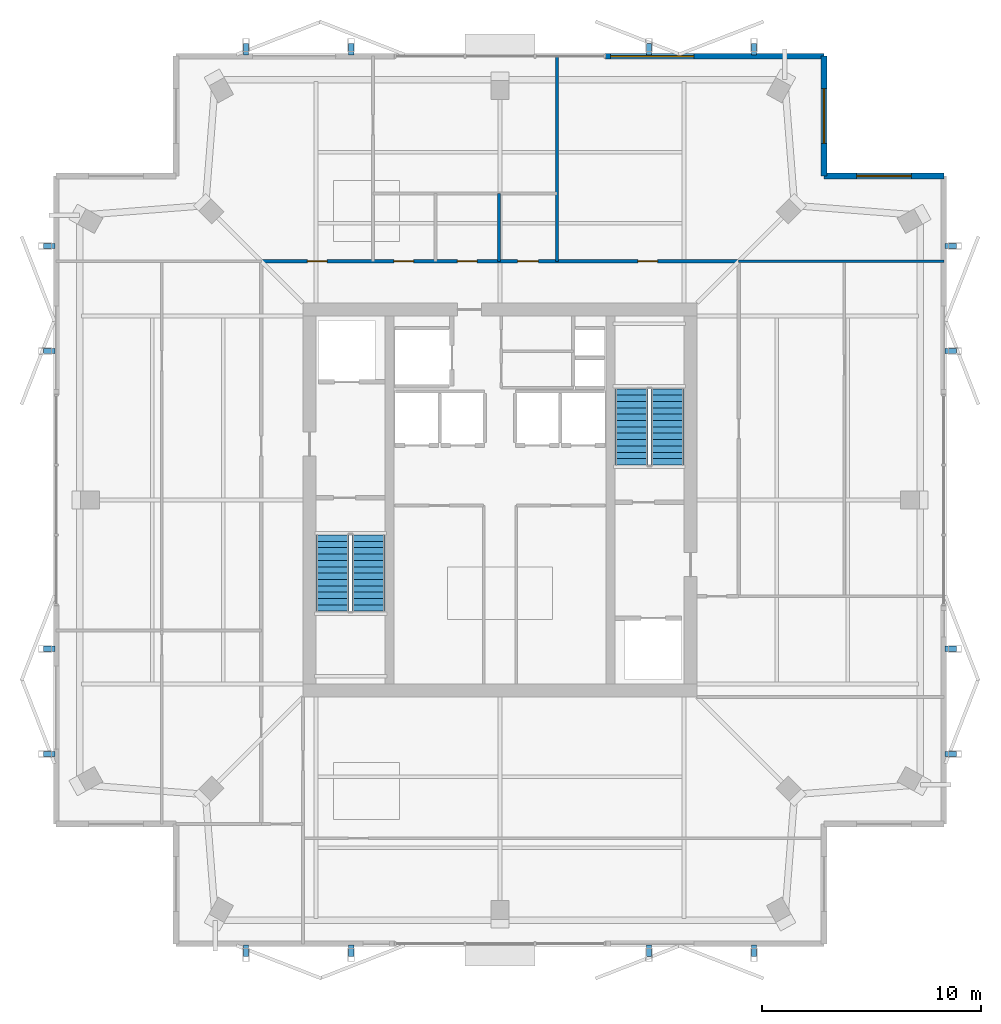
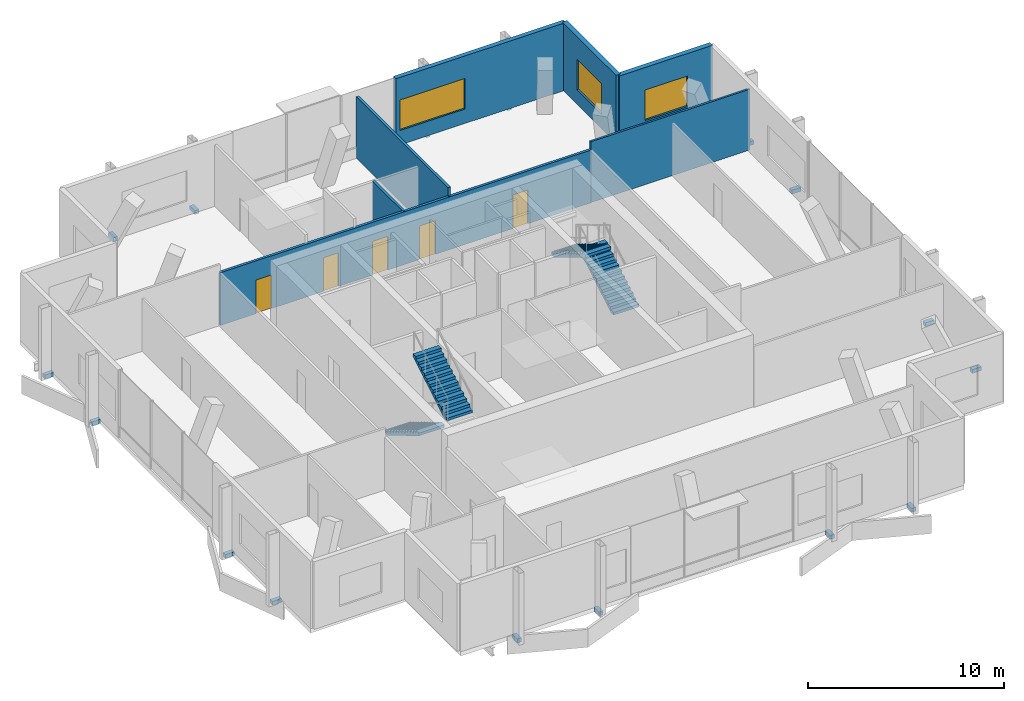
# One storey, part 14 of 16: 16 discrete accessories, 7 walls, 5 doors, 4 stair flights, 3 windows, 8 openings, 2 elements without a shape of their own.
"""IFC4 building model written with IfcOpenShell, lengths in metres."""

from ifc_helpers import new_model, si_unit, direction, frame, frame_2d, origin, origin_2d, place, context, subcontext, project, spatial, polyline, rectangle, outline, extrude, material, layer, layer_set, type_object, element, fill, aggregate, save


model = new_model("IFC4")

# Units and contexts
model_context = context("Model", 3, precision=1e-05, world=origin(), true_north=direction((0.0, 1.0)))
body_context = subcontext(model_context, "Body", "Model", "MODEL_VIEW")
ifc_project = project(units=[si_unit("LENGTHUNIT", "METRE"), si_unit("AREAUNIT", "SQUARE_METRE"), si_unit("VOLUMEUNIT", "CUBIC_METRE"), si_unit("PLANEANGLEUNIT", "RADIAN"), si_unit("MASSUNIT", "GRAM", prefix="KILO")], contexts=[model_context])

# Site, building, storey
site_placement = place(None, origin())
site = spatial("IfcSite", under=ifc_project, at=site_placement, CompositionType="ELEMENT")
building_placement = place(site_placement, origin())
building = spatial("IfcBuilding", under=site, at=building_placement, Name="Belovzor Exchange Tower", CompositionType="ELEMENT")
storey_placement = place(building_placement, frame((0.0, 0.0, 364.5)))
storey = spatial("IfcBuildingStorey", under=building, at=storey_placement, Name="L91", CompositionType="ELEMENT", Elevation=364.5)

# Walls
ifc_material_1 = material(Name="Acoustic Plasterboard on Galvanised Studs", Category="gypsum")
ifc_layer_1 = layer(ifc_material_1, 0.1201171875)
ifc_layer_set_1 = layer_set([ifc_layer_1], Name="Acoustic Plasterboard on Galvanised Studs")
wall_type_1 = type_object("IfcWallType", Name="Acoustic Double-Stud Partition Wall 120", PredefinedType="PARTITIONING", material=ifc_layer_set_1)
wall_1_placement = place(storey_placement, frame((39.699951171875, 39.699951171875, 0.0), z_axis=(0.0, 0.0, 1.0), x_axis=(1.0, 0.0, 0.0)))
element("IfcWall", 1, at=wall_1_placement, inside=storey, type_object=wall_type_1, Name="W-P120 Partition Wall W-L91-END-NE", PredefinedType="PARTITIONING", context=body_context, shape_type="SweptSolid", body=[
    extrude(rectangle(XDim=9.3701171875, YDim=0.1201171875, at=frame_2d((4.68505859375, 0.0))), origin(), (0.0, 0.0, 1.0), 3.784912109375),
])
ifc_material_2 = material(Name="Fire-Rated Gypsum Block and Mineral Wool", Category="gypsum")
ifc_layer_2 = layer(ifc_material_2, 0.14990234375)
ifc_layer_set_2 = layer_set([ifc_layer_2], Name="Fire-Rated Gypsum Block and Mineral Wool")
wall_type_2 = type_object("IfcWallType", Name="Fire-Rated Gypsum Block Corridor Wall 150", PredefinedType="PARTITIONING", material=ifc_layer_set_2)
wall_2_placement = place(storey_placement, frame((31.39990234375, 39.699951171875, 0.0), z_axis=(0.0, 0.0, 1.0), x_axis=(0.0, 1.0, 0.0)))
element("IfcWall", 2, at=wall_2_placement, inside=storey, type_object=wall_type_2, Name="W-P150 Partition Wall W-L91-WCE", PredefinedType="PARTITIONING", context=body_context, shape_type="SweptSolid", body=[
    extrude(rectangle(XDim=9.3701171875, YDim=0.14990234375, at=frame_2d((4.68505859375, 0.0))), origin(), (0.0, 0.0, 1.0), 3.824951171875),
])
wall_3_placement = place(storey_placement, frame((28.75, 39.699951171875, 0.0), z_axis=(0.0, 0.0, 1.0), x_axis=(0.0, 1.0, 0.0)))
element("IfcWall", 3, at=wall_3_placement, inside=storey, type_object=wall_type_2, Name="W-P150 Partition Wall W-L91-WCD2", PredefinedType="PARTITIONING", context=body_context, shape_type="SweptSolid", body=[
    extrude(rectangle(XDim=3.10009765625, YDim=0.14990234375, at=frame_2d((1.550048828125, 0.0))), origin(), (0.0, 0.0, 1.0), 3.284912109375),
])

# Wall, openings, doors
wall_4_placement = place(storey_placement, frame((17.89990234375, 39.699951171875, 0.0), z_axis=(0.0, 0.0, 1.0), x_axis=(1.0, 0.0, 0.0)))
wall_4 = element("IfcWall", 4, at=wall_4_placement, inside=storey, type_object=wall_type_2, Name="W-P150 Partition Wall W-L91-CN", PredefinedType="PARTITIONING", context=body_context, shape_type="SweptSolid", body=[
    extrude(rectangle(XDim=21.800048828125, YDim=0.14990234375, at=frame_2d((10.89990234375, 0.0))), origin(), (0.0, 0.0, 1.0), 3.284912109375),
])
opening_1_placement = place(wall_4_placement, frame((2.10009765625, 0.0, 0.0)))
opening_1 = element("IfcOpeningElement", 5, at=opening_1_placement, cuts=wall_4, Name="Opening D-INT-090", PredefinedType="OPENING", context=body_context, shape_type="SweptSolid", body=[
    extrude(rectangle(XDim=0.89990234375, YDim=2.10009765625, at=frame_2d((0.449951171875, 1.050048828125))), frame((0.0, 0.0849609375, 0.0), z_axis=(0.0, -1.0, 0.0), x_axis=(1.0, 0.0, 0.0)), (0.0, 0.0, 1.0), 0.169921875),
])
opening_2_placement = place(wall_4_placement, frame((6.050048828125, 0.0, 0.0)))
opening_2 = element("IfcOpeningElement", 6, at=opening_2_placement, cuts=wall_4, Name="Opening D-FD60-090", PredefinedType="OPENING", context=body_context, shape_type="SweptSolid", body=[
    extrude(rectangle(XDim=0.89990234375, YDim=2.10009765625, at=frame_2d((0.449951171875, 1.050048828125))), frame((0.0, 0.0849609375, 0.0), z_axis=(0.0, -1.0, 0.0), x_axis=(1.0, 0.0, 0.0)), (0.0, 0.0, 1.0), 0.169921875),
])
opening_3_placement = place(wall_4_placement, frame((8.949951171875, 0.0, 0.0)))
opening_3 = element("IfcOpeningElement", 7, at=opening_3_placement, cuts=wall_4, Name="Opening D-FD60-090", PredefinedType="OPENING", context=body_context, shape_type="SweptSolid", body=[
    extrude(rectangle(XDim=0.89990234375, YDim=2.10009765625, at=frame_2d((0.449951171875, 1.050048828125))), frame((0.0, 0.0849609375, 0.0), z_axis=(0.0, -1.0, 0.0), x_axis=(1.0, 0.0, 0.0)), (0.0, 0.0, 1.0), 0.169921875),
])
opening_4_placement = place(wall_4_placement, frame((11.699951171875, 0.0, 0.0)))
opening_4 = element("IfcOpeningElement", 8, at=opening_4_placement, cuts=wall_4, Name="Opening D-FD60-095", PredefinedType="OPENING", context=body_context, shape_type="SweptSolid", body=[
    extrude(rectangle(XDim=0.949951171875, YDim=2.10009765625, at=frame_2d((0.47509765625, 1.050048828125))), frame((0.0, 0.0849609375, 0.0), z_axis=(0.0, -1.0, 0.0), x_axis=(1.0, 0.0, 0.0)), (0.0, 0.0, 1.0), 0.169921875),
])
opening_5_placement = place(wall_4_placement, frame((17.199951171875, 0.0, 0.0)))
opening_5 = element("IfcOpeningElement", 9, at=opening_5_placement, cuts=wall_4, Name="Opening D-INT-090", PredefinedType="OPENING", context=body_context, shape_type="SweptSolid", body=[
    extrude(rectangle(XDim=0.89990234375, YDim=2.10009765625, at=frame_2d((0.449951171875, 1.050048828125))), frame((0.0, 0.0849609375, 0.0), z_axis=(0.0, -1.0, 0.0), x_axis=(1.0, 0.0, 0.0)), (0.0, 0.0, 1.0), 0.169921875),
])
ifc_material_3 = material(Name="Moisture-Resistant Timber Fire Leaf", Category="wood")
door_type_1 = type_object("IfcDoorType", Name="Accessible Restroom Wide Fire Door 950x2100", OperationType="NOTDEFINED", PredefinedType="DOOR", material=ifc_material_3)
door_1_placement = place(opening_4_placement, origin())
door_1 = element("IfcDoor", 10, at=door_1_placement, inside=storey, type_object=door_type_1, Name="D-FD60-095 Accessible Restroom Wide Fire Door 950x2100", OperationType="SINGLE_SWING_LEFT", OverallHeight=2.10009765625, OverallWidth=0.949951171875, PredefinedType="DOOR", context=body_context, shape_type="SweptSolid", body=[
    extrude(rectangle(XDim=0.949951171875, YDim=2.10009765625, at=frame_2d((0.47509765625, 1.050048828125))), frame((0.0, 0.02490234375, 0.0), z_axis=(0.0, -1.0, 0.0), x_axis=(1.0, 0.0, 0.0)), (0.0, 0.0, 1.0), 0.050048828125),
])
fill(opening_4, door_1)
ifc_material_4 = material(Name="Acoustic Timber Fire Leaf", Category="wood")
door_type_2 = type_object("IfcDoorType", Name="Core Service & Restroom Fire Door 900x2100", OperationType="NOTDEFINED", PredefinedType="DOOR", material=ifc_material_4)
door_2_placement = place(opening_2_placement, origin())
door_2 = element("IfcDoor", 11, at=door_2_placement, inside=storey, type_object=door_type_2, Name="D-FD60-090 Core Service & Restroom Fire Door 900x2100", OperationType="SINGLE_SWING_LEFT", OverallHeight=2.10009765625, OverallWidth=0.89990234375, PredefinedType="DOOR", context=body_context, shape_type="SweptSolid", body=[
    extrude(rectangle(XDim=0.89990234375, YDim=2.10009765625, at=frame_2d((0.449951171875, 1.050048828125))), frame((0.0, 0.02490234375, 0.0), z_axis=(0.0, -1.0, 0.0), x_axis=(1.0, 0.0, 0.0)), (0.0, 0.0, 1.0), 0.050048828125),
])
fill(opening_2, door_2)
door_3_placement = place(opening_3_placement, origin())
door_3 = element("IfcDoor", 12, at=door_3_placement, inside=storey, type_object=door_type_2, Name="D-FD60-090 Core Service & Restroom Fire Door 900x2100", OperationType="SINGLE_SWING_RIGHT", OverallHeight=2.10009765625, OverallWidth=0.89990234375, PredefinedType="DOOR", context=body_context, shape_type="SweptSolid", body=[
    extrude(rectangle(XDim=0.89990234375, YDim=2.10009765625, at=frame_2d((0.449951171875, 1.050048828125))), frame((0.0, 0.02490234375, 0.0), z_axis=(0.0, -1.0, 0.0), x_axis=(1.0, 0.0, 0.0)), (0.0, 0.0, 1.0), 0.050048828125),
])
fill(opening_3, door_3)
ifc_material_5 = material(Name="Veneered Hardwood Acoustic Leaf", Category="wood")
door_type_3 = type_object("IfcDoorType", Name="Trading Suite Acoustic Single Door 900x2100", OperationType="NOTDEFINED", PredefinedType="DOOR", material=ifc_material_5)
door_4_placement = place(opening_1_placement, origin())
door_4 = element("IfcDoor", 13, at=door_4_placement, inside=storey, type_object=door_type_3, Name="D-INT-090 Trading Suite Acoustic Single Door 900x2100", OperationType="SINGLE_SWING_LEFT", OverallHeight=2.10009765625, OverallWidth=0.89990234375, PredefinedType="DOOR", context=body_context, shape_type="SweptSolid", body=[
    extrude(rectangle(XDim=0.89990234375, YDim=2.10009765625, at=frame_2d((0.449951171875, 1.050048828125))), frame((0.0, 0.02490234375, 0.0), z_axis=(0.0, -1.0, 0.0), x_axis=(1.0, 0.0, 0.0)), (0.0, 0.0, 1.0), 0.050048828125),
])
fill(opening_1, door_4)
door_5_placement = place(opening_5_placement, origin())
door_5 = element("IfcDoor", 14, at=door_5_placement, inside=storey, type_object=door_type_3, Name="D-INT-090 Trading Suite Acoustic Single Door 900x2100", OperationType="SINGLE_SWING_RIGHT", OverallHeight=2.10009765625, OverallWidth=0.89990234375, PredefinedType="DOOR", context=body_context, shape_type="SweptSolid", body=[
    extrude(rectangle(XDim=0.89990234375, YDim=2.10009765625, at=frame_2d((0.449951171875, 1.050048828125))), frame((0.0, 0.02490234375, 0.0), z_axis=(0.0, -1.0, 0.0), x_axis=(1.0, 0.0, 0.0)), (0.0, 0.0, 1.0), 0.050048828125),
])
fill(opening_5, door_5)

# Wall, opening, window
ifc_material_6 = material(Name="Precast concrete C40/50", Category="concrete")
ifc_layer_3 = layer(ifc_material_6, 0.280029296875)
ifc_layer_set_3 = layer_set([ifc_layer_3], Name="Precast concrete C40/50")
wall_type_3 = type_object("IfcWallType", Name="Precast Concrete Notched Corner Frame Wall 280", PredefinedType="SOLIDWALL", material=ifc_layer_set_3)
wall_5_placement = place(storey_placement, frame((43.60009765625, 49.070068359375, 0.0), z_axis=(0.0, 0.0, 1.0), x_axis=(0.0, -1.0, 0.0)))
wall_5 = element("IfcWall", 15, at=wall_5_placement, inside=storey, type_object=wall_type_3, Name="W-CRN280 Precast Concrete Notched Corner Frame Wall 280 L91", PredefinedType="SOLIDWALL", context=body_context, shape_type="SweptSolid", body=[
    extrude(rectangle(XDim=5.469970703125, YDim=0.280029296875, at=frame_2d((2.73486328125, 0.0))), origin(), (0.0, 0.0, 1.0), 4.199951171875),
])
opening_6_placement = place(wall_5_placement, frame((1.485107421875, 0.0, 0.89990234375)))
opening_6 = element("IfcOpeningElement", 16, at=opening_6_placement, cuts=wall_5, Name="Opening WN-CRN250", PredefinedType="OPENING", context=body_context, shape_type="SweptSolid", body=[
    extrude(rectangle(XDim=2.5, YDim=1.89990234375, at=frame_2d((1.25, 0.949951171875))), frame((0.0, 0.14990234375, 0.0), z_axis=(0.0, -1.0, 0.0), x_axis=(1.0, 0.0, 0.0)), (0.0, 0.0, 1.0), 0.300048828125),
])
ifc_material_7 = material(Name="Thermally Broken Aluminium and Triple Glazing", Category="aluminium")
window_type_1 = type_object("IfcWindowType", Name="Streamline Moderne Corner Wrap Ribbon Window 2500x1900", PartitioningType="SINGLE_PANEL", PredefinedType="WINDOW", material=ifc_material_7)
window_1_placement = place(opening_6_placement, origin())
window_1 = element("IfcWindow", 17, at=window_1_placement, inside=storey, type_object=window_type_1, Name="WN-CRN250 Streamline Moderne Corner Wrap Ribbon Window 2500x1900", OverallHeight=1.89990234375, OverallWidth=2.5, PartitioningType="SINGLE_PANEL", PredefinedType="WINDOW", context=body_context, shape_type="SweptSolid", body=[
    extrude(rectangle(XDim=2.5, YDim=1.89990234375, at=frame_2d((1.25, 0.949951171875))), frame((0.0, 0.030029296875, 0.0), z_axis=(0.0, -1.0, 0.0), x_axis=(1.0, 0.0, 0.0)), (0.0, 0.0, 1.0), 0.06005859375),
])
fill(opening_6, window_1)

wall_6_placement = place(storey_placement, frame((43.60009765625, 43.60009765625, 0.0), z_axis=(0.0, 0.0, 1.0), x_axis=(1.0, 0.0, 0.0)))
wall_6 = element("IfcWall", 18, at=wall_6_placement, inside=storey, type_object=wall_type_3, Name="W-CRN280 Precast Concrete Notched Corner Frame Wall 280 L91", PredefinedType="SOLIDWALL", context=body_context, shape_type="SweptSolid", body=[
    extrude(rectangle(XDim=5.469970703125, YDim=0.280029296875, at=frame_2d((2.73486328125, 0.0))), origin(), (0.0, 0.0, 1.0), 4.199951171875),
])
opening_7_placement = place(wall_6_placement, frame((1.485107421875, 0.0, 0.89990234375)))
opening_7 = element("IfcOpeningElement", 19, at=opening_7_placement, cuts=wall_6, Name="Opening WN-CRN250", PredefinedType="OPENING", context=body_context, shape_type="SweptSolid", body=[
    extrude(rectangle(XDim=2.5, YDim=1.89990234375, at=frame_2d((1.25, 0.949951171875))), frame((0.0, 0.14990234375, 0.0), z_axis=(0.0, -1.0, 0.0), x_axis=(1.0, 0.0, 0.0)), (0.0, 0.0, 1.0), 0.300048828125),
])
window_2_placement = place(opening_7_placement, origin())
window_2 = element("IfcWindow", 20, at=window_2_placement, inside=storey, type_object=window_type_1, Name="WN-CRN250 Streamline Moderne Corner Wrap Ribbon Window 2500x1900", OverallHeight=1.89990234375, OverallWidth=2.5, PartitioningType="SINGLE_PANEL", PredefinedType="WINDOW", context=body_context, shape_type="SweptSolid", body=[
    extrude(rectangle(XDim=2.5, YDim=1.89990234375, at=frame_2d((1.25, 0.949951171875))), frame((0.0, 0.030029296875, 0.0), z_axis=(0.0, -1.0, 0.0), x_axis=(1.0, 0.0, 0.0)), (0.0, 0.0, 1.0), 0.06005859375),
])
fill(opening_7, window_2)

ifc_material_8 = material(Name="Precast concrete C40/50", Category="concrete")
ifc_layer_4 = layer(ifc_material_8, 0.260009765625)
ifc_layer_set_4 = layer_set([ifc_layer_4], Name="Precast concrete C40/50")
wall_type_4 = type_object("IfcWallType", Name="Precast Concrete Perimeter Loggia Frame Wall 260", PredefinedType="SOLIDWALL", material=ifc_layer_set_4)
wall_7_placement = place(storey_placement, frame((33.60009765625, 49.070068359375, 0.0), z_axis=(0.0, 0.0, 1.0), x_axis=(1.0, 0.0, 0.0)))
wall_7 = element("IfcWall", 21, at=wall_7_placement, inside=storey, type_object=wall_type_4, Name="W-EXT260 Precast Concrete Perimeter Loggia Frame Wall 260 L91", PredefinedType="SOLIDWALL", context=body_context, shape_type="SweptSolid", body=[
    extrude(rectangle(XDim=10.0, YDim=0.260009765625, at=frame_2d((5.0, 0.0))), origin(), (0.0, 0.0, 1.0), 4.199951171875),
])
opening_8_placement = place(wall_7_placement, frame((0.25, 0.0, 0.89990234375)))
opening_8 = element("IfcOpeningElement", 22, at=opening_8_placement, cuts=wall_7, Name="Opening WN-RIB380", PredefinedType="OPENING", context=body_context, shape_type="SweptSolid", body=[
    extrude(rectangle(XDim=3.800048828125, YDim=1.89990234375, at=frame_2d((1.89990234375, 0.949951171875))), frame((0.0, 0.139892578125, 0.0), z_axis=(0.0, -1.0, 0.0), x_axis=(1.0, 0.0, 0.0)), (0.0, 0.0, 1.0), 0.280029296875),
])
ifc_material_9 = material(Name="Thermally Broken Aluminium and Triple Glazing", Category="aluminium")
window_type_2 = type_object("IfcWindowType", Name="Streamline Moderne Horizontal Ribbon Window 3800x1900", PartitioningType="SINGLE_PANEL", PredefinedType="WINDOW", material=ifc_material_9)
window_3_placement = place(opening_8_placement, origin())
window_3 = element("IfcWindow", 23, at=window_3_placement, inside=storey, type_object=window_type_2, Name="WN-RIB380 Streamline Moderne Horizontal Ribbon Window 3800x1900", OverallHeight=1.89990234375, OverallWidth=3.800048828125, PartitioningType="SINGLE_PANEL", PredefinedType="WINDOW", context=body_context, shape_type="SweptSolid", body=[
    extrude(rectangle(XDim=3.800048828125, YDim=1.89990234375, at=frame_2d((1.89990234375, 0.949951171875))), frame((0.0, 0.030029296875, 0.0), z_axis=(0.0, -1.0, 0.0), x_axis=(1.0, 0.0, 0.0)), (0.0, 0.0, 1.0), 0.06005859375),
])
fill(opening_8, window_3)

# Stair, stair flights
ifc_material_10 = material(Name="Concrete C40/50", Category="concrete")
stair_type = type_object("IfcStairType", Name="Reinforced Concrete Dogleg Escape Stair 1350", PredefinedType="HALF_TURN_STAIR", material=ifc_material_10)
stair_1_placement = place(storey_placement, origin())
stair_1 = element("IfcStair", 24, at=stair_1_placement, inside=storey, type_object=stair_type, Name="L91 ST-1", PredefinedType="HALF_TURN_STAIR")
ifc_material_11 = material(Name="Concrete C40/50", Category="concrete")
stair_flight_type = type_object("IfcStairFlightType", Name="Reinforced Concrete Stair Flight 1350", PredefinedType="STRAIGHT", material=ifc_material_11)
stair_flight_1_placement = place(storey_placement, frame((21.14990234375, 27.199951171875, 0.0), z_axis=(0.0, 0.0, 1.0), x_axis=(0.0, -1.0, 0.0)))
stair_flight_1 = element("IfcStairFlight", 25, at=stair_flight_1_placement, type_object=stair_flight_type, Name="ST-1 flight 1", NumberOfRisers=13, NumberOfTreads=12, PredefinedType="STRAIGHT", RiserHeight=0.173076923, TreadLength=0.29, context=body_context, shape_type="SweptSolid", body=[
    extrude(outline(polyline([(0.0, 0.0), (0.0, 0.173095703125), (0.2900390625, 0.173095703125), (0.2900390625, 0.34619140625), (0.580078125, 0.34619140625), (0.580078125, 0.519287109375), (0.8701171875, 0.519287109375), (0.8701171875, 0.6923828125), (1.159912109375, 0.6923828125), (1.159912109375, 0.865478515625), (1.449951171875, 0.865478515625), (1.449951171875, 1.03857421875), (1.739990234375, 1.03857421875), (1.739990234375, 1.21142578125), (2.030029296875, 1.21142578125), (2.030029296875, 1.384521484375), (2.320068359375, 1.384521484375), (2.320068359375, 1.5576171875), (2.610107421875, 1.5576171875), (2.610107421875, 1.730712890625), (2.89990234375, 1.730712890625), (2.89990234375, 1.90380859375), (3.18994140625, 1.90380859375), (3.18994140625, 2.076904296875), (3.47998046875, 2.076904296875), (3.47998046875, 2.25), (3.47998046875, 1.90234375), (0.29248046875, 0.0), (0.0, 0.0)])), frame((0.0, 0.75, 0.0), z_axis=(0.0, -1.0, 0.0), x_axis=(1.0, 0.0, 0.0)), (0.0, 0.0, 1.0), 1.5),
])
stair_flight_2_placement = place(storey_placement, frame((22.800048828125, 23.719970703125, 2.25), z_axis=(0.0, 0.0, 1.0), x_axis=(0.0, 1.0, 0.0)))
stair_flight_2 = element("IfcStairFlight", 26, at=stair_flight_2_placement, type_object=stair_flight_type, Name="ST-1 flight 2", NumberOfRisers=13, NumberOfTreads=12, PredefinedType="STRAIGHT", RiserHeight=0.173076923, TreadLength=0.29, context=body_context, shape_type="SweptSolid", body=[
    extrude(outline(polyline([(0.0, 0.0), (0.0, 0.173095703125), (0.2900390625, 0.173095703125), (0.2900390625, 0.34619140625), (0.580078125, 0.34619140625), (0.580078125, 0.519287109375), (0.8701171875, 0.519287109375), (0.8701171875, 0.6923828125), (1.159912109375, 0.6923828125), (1.159912109375, 0.865478515625), (1.449951171875, 0.865478515625), (1.449951171875, 1.03857421875), (1.739990234375, 1.03857421875), (1.739990234375, 1.21142578125), (2.030029296875, 1.21142578125), (2.030029296875, 1.384521484375), (2.320068359375, 1.384521484375), (2.320068359375, 1.5576171875), (2.610107421875, 1.5576171875), (2.610107421875, 1.730712890625), (2.89990234375, 1.730712890625), (2.89990234375, 1.90380859375), (3.18994140625, 1.90380859375), (3.18994140625, 2.076904296875), (3.47998046875, 2.076904296875), (3.47998046875, 2.25), (3.47998046875, 1.90234375), (0.29248046875, 0.0), (0.0, 0.0)])), frame((0.0, 0.75, 0.0), z_axis=(0.0, -1.0, 0.0), x_axis=(1.0, 0.0, 0.0)), (0.0, 0.0, 1.0), 1.5),
])
aggregate(stair_1, [stair_flight_1, stair_flight_2])

stair_2_placement = place(storey_placement, origin())
stair_2 = element("IfcStair", 27, at=stair_2_placement, inside=storey, type_object=stair_type, Name="L91 ST-2", PredefinedType="HALF_TURN_STAIR")
stair_flight_3_placement = place(storey_placement, frame((36.449951171875, 30.39990234375, 0.0), z_axis=(0.0, 0.0, 1.0), x_axis=(0.0, 1.0, 0.0)))
stair_flight_3 = element("IfcStairFlight", 28, at=stair_flight_3_placement, type_object=stair_flight_type, Name="ST-2 flight 1", NumberOfRisers=13, NumberOfTreads=12, PredefinedType="STRAIGHT", RiserHeight=0.173076923, TreadLength=0.29, context=body_context, shape_type="SweptSolid", body=[
    extrude(outline(polyline([(0.0, 0.0), (0.0, 0.173095703125), (0.2900390625, 0.173095703125), (0.2900390625, 0.34619140625), (0.580078125, 0.34619140625), (0.580078125, 0.519287109375), (0.8701171875, 0.519287109375), (0.8701171875, 0.6923828125), (1.159912109375, 0.6923828125), (1.159912109375, 0.865478515625), (1.449951171875, 0.865478515625), (1.449951171875, 1.03857421875), (1.739990234375, 1.03857421875), (1.739990234375, 1.21142578125), (2.030029296875, 1.21142578125), (2.030029296875, 1.384521484375), (2.320068359375, 1.384521484375), (2.320068359375, 1.5576171875), (2.610107421875, 1.5576171875), (2.610107421875, 1.730712890625), (2.89990234375, 1.730712890625), (2.89990234375, 1.90380859375), (3.18994140625, 1.90380859375), (3.18994140625, 2.076904296875), (3.47998046875, 2.076904296875), (3.47998046875, 2.25), (3.47998046875, 1.90234375), (0.29248046875, 0.0), (0.0, 0.0)])), frame((0.0, 0.75, 0.0), z_axis=(0.0, -1.0, 0.0), x_axis=(1.0, 0.0, 0.0)), (0.0, 0.0, 1.0), 1.5),
])
stair_flight_4_placement = place(storey_placement, frame((34.800048828125, 33.8798828125, 2.25), z_axis=(0.0, 0.0, 1.0), x_axis=(0.0, -1.0, 0.0)))
stair_flight_4 = element("IfcStairFlight", 29, at=stair_flight_4_placement, type_object=stair_flight_type, Name="ST-2 flight 2", NumberOfRisers=13, NumberOfTreads=12, PredefinedType="STRAIGHT", RiserHeight=0.173076923, TreadLength=0.29, context=body_context, shape_type="SweptSolid", body=[
    extrude(outline(polyline([(0.0, 0.0), (0.0, 0.173095703125), (0.2900390625, 0.173095703125), (0.2900390625, 0.34619140625), (0.580078125, 0.34619140625), (0.580078125, 0.519287109375), (0.8701171875, 0.519287109375), (0.8701171875, 0.6923828125), (1.159912109375, 0.6923828125), (1.159912109375, 0.865478515625), (1.449951171875, 0.865478515625), (1.449951171875, 1.03857421875), (1.739990234375, 1.03857421875), (1.739990234375, 1.21142578125), (2.030029296875, 1.21142578125), (2.030029296875, 1.384521484375), (2.320068359375, 1.384521484375), (2.320068359375, 1.5576171875), (2.610107421875, 1.5576171875), (2.610107421875, 1.730712890625), (2.89990234375, 1.730712890625), (2.89990234375, 1.90380859375), (3.18994140625, 1.90380859375), (3.18994140625, 2.076904296875), (3.47998046875, 2.076904296875), (3.47998046875, 2.25), (3.47998046875, 1.90234375), (0.29248046875, 0.0), (0.0, 0.0)])), frame((0.0, 0.75, 0.0), z_axis=(0.0, -1.0, 0.0), x_axis=(1.0, 0.0, 0.0)), (0.0, 0.0, 1.0), 1.5),
])
aggregate(stair_2, [stair_flight_3, stair_flight_4])

# Discrete accessories
ifc_material_12 = material(Name="Stainless Steel Grade 316", Category="steel")
ifc_layer_5 = layer(ifc_material_12, 0.179931640625)
ifc_layer_set_5 = layer_set([ifc_layer_5], Name="Stainless Steel Grade 316")
discrete_accessory_type = type_object("IfcDiscreteAccessoryType", Name="Stainless Steel Facade Outrigger Fixing Bracket", PredefinedType="BRACKET", material=ifc_layer_set_5)
for number, where, z_axis, x_axis, name in (
    (30, (17.199951171875, 8.212890625, -0.25), (0.0, 0.0, 1.0), (0.0, 1.0, 0.0), "BRK-FIN1 Sweeping Fin Outrigger Bracket L91 S1"),
    (31, (17.199951171875, 49.387939453125, -0.25), (0.0, 0.0, 1.0), (0.0, 1.0, 0.0), "BRK-FIN1 Sweeping Fin Outrigger Bracket L91 N1"),
    (32, (8.212890625, 17.199951171875, -0.25), (0.0, 0.0, 1.0), (1.0, 0.0, 0.0), "BRK-FIN1 Sweeping Fin Outrigger Bracket L91 W1"),
    (33, (49.387939453125, 17.199951171875, -0.25), (0.0, 0.0, 1.0), (1.0, 0.0, 0.0), "BRK-FIN1 Sweeping Fin Outrigger Bracket L91 E1"),
    (34, (22.0, 8.212890625, -0.25), (0.0, 0.0, 1.0), (0.0, 1.0, 0.0), "BRK-FIN1 Sweeping Fin Outrigger Bracket L91 S2"),
    (35, (22.0, 49.387939453125, -0.25), (0.0, 0.0, 1.0), (0.0, 1.0, 0.0), "BRK-FIN1 Sweeping Fin Outrigger Bracket L91 N2"),
    (36, (8.212890625, 22.0, -0.25), (0.0, 0.0, 1.0), (1.0, 0.0, 0.0), "BRK-FIN1 Sweeping Fin Outrigger Bracket L91 W2"),
    (37, (49.387939453125, 22.0, -0.25), (0.0, 0.0, 1.0), (1.0, 0.0, 0.0), "BRK-FIN1 Sweeping Fin Outrigger Bracket L91 E2"),
    (38, (35.60009765625, 8.212890625, -0.25), (0.0, 0.0, 1.0), (0.0, 1.0, 0.0), "BRK-FIN1 Sweeping Fin Outrigger Bracket L91 S3"),
    (39, (35.60009765625, 49.387939453125, -0.25), (0.0, 0.0, 1.0), (0.0, 1.0, 0.0), "BRK-FIN1 Sweeping Fin Outrigger Bracket L91 N3"),
    (40, (8.212890625, 35.60009765625, -0.25), (0.0, 0.0, 1.0), (1.0, 0.0, 0.0), "BRK-FIN1 Sweeping Fin Outrigger Bracket L91 W3"),
    (41, (49.387939453125, 35.60009765625, -0.25), (0.0, 0.0, 1.0), (1.0, 0.0, 0.0), "BRK-FIN1 Sweeping Fin Outrigger Bracket L91 E3"),
    (42, (40.39990234375, 8.212890625, -0.25), (0.0, 0.0, 1.0), (0.0, 1.0, 0.0), "BRK-FIN1 Sweeping Fin Outrigger Bracket L91 S4"),
    (43, (40.39990234375, 49.387939453125, -0.25), (0.0, 0.0, 1.0), (0.0, 1.0, 0.0), "BRK-FIN1 Sweeping Fin Outrigger Bracket L91 N4"),
    (44, (8.212890625, 40.39990234375, -0.25), (0.0, 0.0, 1.0), (1.0, 0.0, 0.0), "BRK-FIN1 Sweeping Fin Outrigger Bracket L91 W4"),
    (45, (49.387939453125, 40.39990234375, -0.25), (0.0, 0.0, 1.0), (1.0, 0.0, 0.0), "BRK-FIN1 Sweeping Fin Outrigger Bracket L91 E4"),
):
    element("IfcDiscreteAccessory", number, at=place(storey_placement, frame(where, z_axis=z_axis, x_axis=x_axis)), inside=storey, type_object=discrete_accessory_type, Name=name, PredefinedType="BRACKET", context=body_context, shape_type="SweptSolid", body=[
        extrude(rectangle(XDim=0.534912109375, YDim=0.239990234375, at=origin_2d()), origin(), (0.0, 0.0, 1.0), 0.239990234375),
    ])

save(model, "model.ifc")
